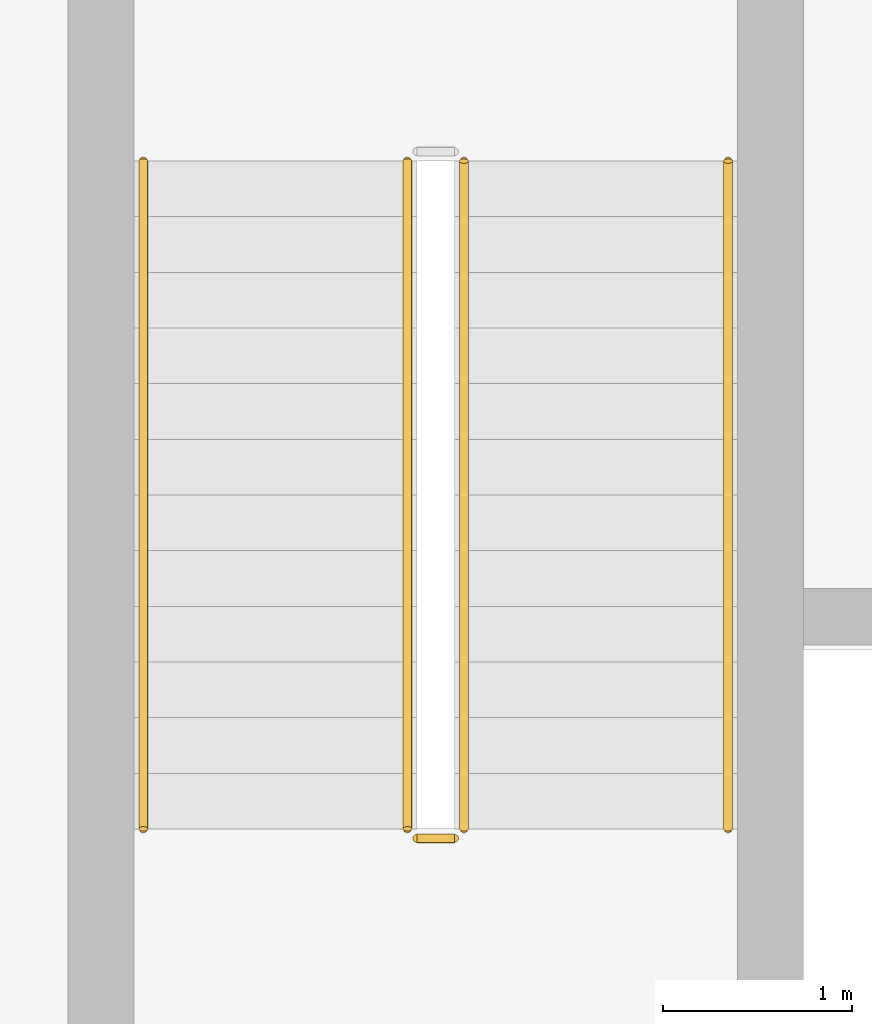
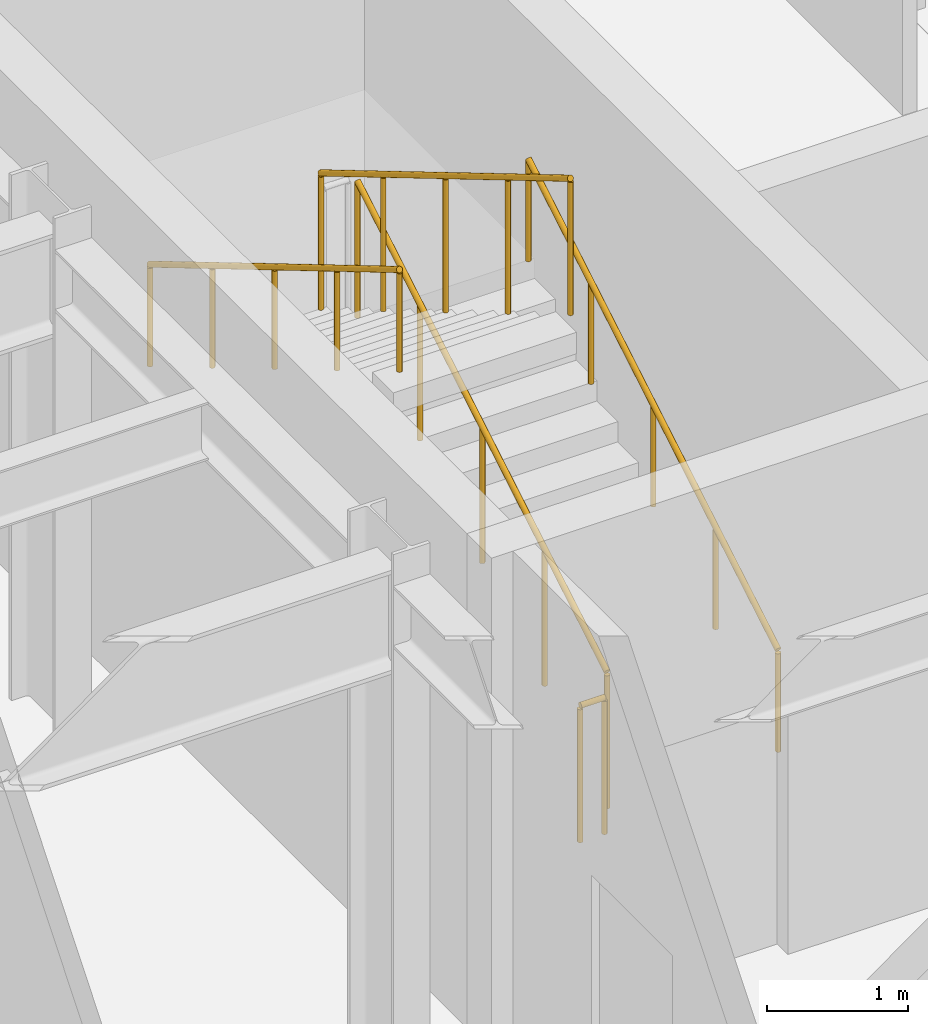
# One storey, part 27 of 32: 5 railings.
"""IFC4 building model written with IfcOpenShell, lengths in metres."""

from ifc_helpers import new_model, si_unit, direction, frame, origin, origin_2d, place, context, subcontext, project, spatial, circle, extrude, material, layer, layer_set, type_object, element, save


model = new_model("IFC4")

# Units and contexts
model_context = context("Model", 3, precision=1e-05, world=origin(), true_north=direction((0.0, 1.0)))
body_context = subcontext(model_context, "Body", "Model", "MODEL_VIEW")
ifc_project = project(units=[si_unit("LENGTHUNIT", "METRE"), si_unit("AREAUNIT", "SQUARE_METRE"), si_unit("VOLUMEUNIT", "CUBIC_METRE"), si_unit("PLANEANGLEUNIT", "RADIAN"), si_unit("MASSUNIT", "GRAM", prefix="KILO")], contexts=[model_context])

# Site, building, storey
site_placement = place(None, origin())
site = spatial("IfcSite", under=ifc_project, at=site_placement, CompositionType="ELEMENT")
building_placement = place(site_placement, origin())
building = spatial("IfcBuilding", under=site, at=building_placement, Name="Nordkorset Police Headquarters", CompositionType="ELEMENT")
storey_placement = place(building_placement, frame((0.0, 0.0, -4.550048828125)))
storey = spatial("IfcBuildingStorey", under=building, at=storey_placement, Name="B01", CompositionType="ELEMENT", Elevation=-4.550048828125)

# Railings
ifc_material_1 = material(Name="Steel S355J2", Category="steel")
ifc_layer_1 = layer(ifc_material_1, 0.048095703125, Name="Steel S355J2")
ifc_layer_set_1 = layer_set([ifc_layer_1], Name="Steel S355J2")
railing_type_1 = type_object("IfcRailingType", Name="Railing_Handrail_900", PredefinedType="HANDRAIL", material=ifc_layer_set_1)
railing_1_placement = place(storey_placement, frame((23.324951171875, 89.625, 0.175048828125)))
element("IfcRailing", 1, at=railing_1_placement, inside=storey, type_object=railing_type_1, Name="B01 ST-03 stair handrail 1", PredefinedType="HANDRAIL", context=body_context, shape_type="SweptSolid", body=[
    extrude(circle(Radius=0.02392578125, at=origin_2d()), frame((0.0, 0.0, 0.8759765625), z_axis=(0.0, 0.860046713364, 0.510215298508), x_axis=(-1.0, 0.0, 0.0)), (0.0, 0.0, 1.0), 4.1162109375),
    extrude(circle(Radius=0.02099609375, at=origin_2d()), origin(), (0.0, 0.0, 1.0), 0.851806640625),
    extrude(circle(Radius=0.02099609375, at=origin_2d()), frame((0.0, 0.885009765625, 0.52490234375)), (0.0, 0.0, 1.0), 0.851806640625),
    extrude(circle(Radius=0.02099609375, at=origin_2d()), frame((0.0, 1.77001953125, 1.050048828125)), (0.0, 0.0, 1.0), 0.851806640625),
    extrude(circle(Radius=0.02099609375, at=origin_2d()), frame((0.0, 2.655029296875, 1.5751953125)), (0.0, 0.0, 1.0), 0.851806640625),
    extrude(circle(Radius=0.02099609375, at=origin_2d()), frame((0.0, 3.5400390625, 2.10009765625)), (0.0, 0.0, 1.0), 0.851806640625),
])
railing_2_placement = place(storey_placement, frame((20.22509765625, 93.1650390625, 2.449951171875)))
element("IfcRailing", 2, at=railing_2_placement, inside=storey, type_object=railing_type_1, Name="B01 ST-03 stair handrail 2", PredefinedType="HANDRAIL", context=body_context, shape_type="SweptSolid", body=[
    extrude(circle(Radius=0.02392578125, at=origin_2d()), frame((0.0, 0.0, 0.8759765625), z_axis=(0.0, -0.860046713364, 0.510215298508), x_axis=(1.0, 0.0, 0.0)), (0.0, 0.0, 1.0), 4.1162109375),
    extrude(circle(Radius=0.02099609375, at=origin_2d()), origin(), (0.0, 0.0, 1.0), 0.851806640625),
    extrude(circle(Radius=0.02099609375, at=origin_2d()), frame((0.0, -0.885009765625, 0.52490234375)), (0.0, 0.0, 1.0), 0.851806640625),
    extrude(circle(Radius=0.02099609375, at=origin_2d()), frame((0.0, -1.77001953125, 1.050048828125)), (0.0, 0.0, 1.0), 0.851806640625),
    extrude(circle(Radius=0.02099609375, at=origin_2d()), frame((0.0, -2.655029296875, 1.5751953125)), (0.0, 0.0, 1.0), 0.851806640625),
    extrude(circle(Radius=0.02099609375, at=origin_2d()), frame((0.0, -3.5400390625, 2.10009765625)), (0.0, 0.0, 1.0), 0.851806640625),
])
ifc_material_2 = material(Name="Steel S355J2", Category="steel")
ifc_layer_2 = layer(ifc_material_2, 0.050048828125, Name="Steel S355J2")
ifc_layer_set_2 = layer_set([ifc_layer_2], Name="Steel S355J2")
railing_type_2 = type_object("IfcRailingType", Name="Railing_StairGuard_1200", PredefinedType="GUARDRAIL", material=ifc_layer_set_2)
railing_3_placement = place(storey_placement, frame((21.925048828125, 89.625, 0.175048828125)))
element("IfcRailing", 3, at=railing_3_placement, inside=storey, type_object=railing_type_2, Name="B01 ST-03 stair guard 1", PredefinedType="GUARDRAIL", context=body_context, shape_type="SweptSolid", body=[
    extrude(circle(Radius=0.02392578125, at=origin_2d()), frame((0.0, 0.0, 1.17578125), z_axis=(0.0, 0.860046713364, 0.510215298508), x_axis=(-1.0, 0.0, 0.0)), (0.0, 0.0, 1.0), 4.1162109375),
    extrude(circle(Radius=0.02099609375, at=origin_2d()), origin(), (0.0, 0.0, 1.0), 1.15185546875),
    extrude(circle(Radius=0.02099609375, at=origin_2d()), frame((0.0, 0.885009765625, 0.52490234375)), (0.0, 0.0, 1.0), 1.15185546875),
    extrude(circle(Radius=0.02099609375, at=origin_2d()), frame((0.0, 1.77001953125, 1.050048828125)), (0.0, 0.0, 1.0), 1.15185546875),
    extrude(circle(Radius=0.02099609375, at=origin_2d()), frame((0.0, 2.655029296875, 1.5751953125)), (0.0, 0.0, 1.0), 1.15185546875),
    extrude(circle(Radius=0.02099609375, at=origin_2d()), frame((0.0, 3.5400390625, 2.10009765625)), (0.0, 0.0, 1.0), 1.15185546875),
])
railing_4_placement = place(storey_placement, frame((21.625, 93.1650390625, 2.449951171875)))
element("IfcRailing", 4, at=railing_4_placement, inside=storey, type_object=railing_type_2, Name="B01 ST-03 stair guard 3", PredefinedType="GUARDRAIL", context=body_context, shape_type="SweptSolid", body=[
    extrude(circle(Radius=0.02392578125, at=origin_2d()), frame((0.0, 0.0, 1.17578125), z_axis=(0.0, -0.860046713364, 0.510215298508), x_axis=(1.0, 0.0, 0.0)), (0.0, 0.0, 1.0), 4.1162109375),
    extrude(circle(Radius=0.02099609375, at=origin_2d()), origin(), (0.0, 0.0, 1.0), 1.15185546875),
    extrude(circle(Radius=0.02099609375, at=origin_2d()), frame((0.0, -0.885009765625, 0.52490234375)), (0.0, 0.0, 1.0), 1.15185546875),
    extrude(circle(Radius=0.02099609375, at=origin_2d()), frame((0.0, -1.77001953125, 1.050048828125)), (0.0, 0.0, 1.0), 1.15185546875),
    extrude(circle(Radius=0.02099609375, at=origin_2d()), frame((0.0, -2.655029296875, 1.5751953125)), (0.0, 0.0, 1.0), 1.15185546875),
    extrude(circle(Radius=0.02099609375, at=origin_2d()), frame((0.0, -3.5400390625, 2.10009765625)), (0.0, 0.0, 1.0), 1.15185546875),
])
railing_5_placement = place(storey_placement, frame((21.875, 89.574951171875, 0.0)))
element("IfcRailing", 5, at=railing_5_placement, inside=storey, type_object=railing_type_2, Name="B01 ST-03 stair guard 4", PredefinedType="GUARDRAIL", context=body_context, shape_type="SweptSolid", body=[
    extrude(circle(Radius=0.02392578125, at=origin_2d()), frame((0.0, 0.0, 1.17578125), z_axis=(-1.0, 0.0, 0.0), x_axis=(0.0, -1.0, 0.0)), (0.0, 0.0, 1.0), 0.199951171875),
    extrude(circle(Radius=0.02099609375, at=origin_2d()), origin(), (0.0, 0.0, 1.0), 1.15185546875),
    extrude(circle(Radius=0.02099609375, at=origin_2d()), frame((-0.199951171875, 0.0, 0.0)), (0.0, 0.0, 1.0), 1.15185546875),
])

save(model, "model.ifc")
